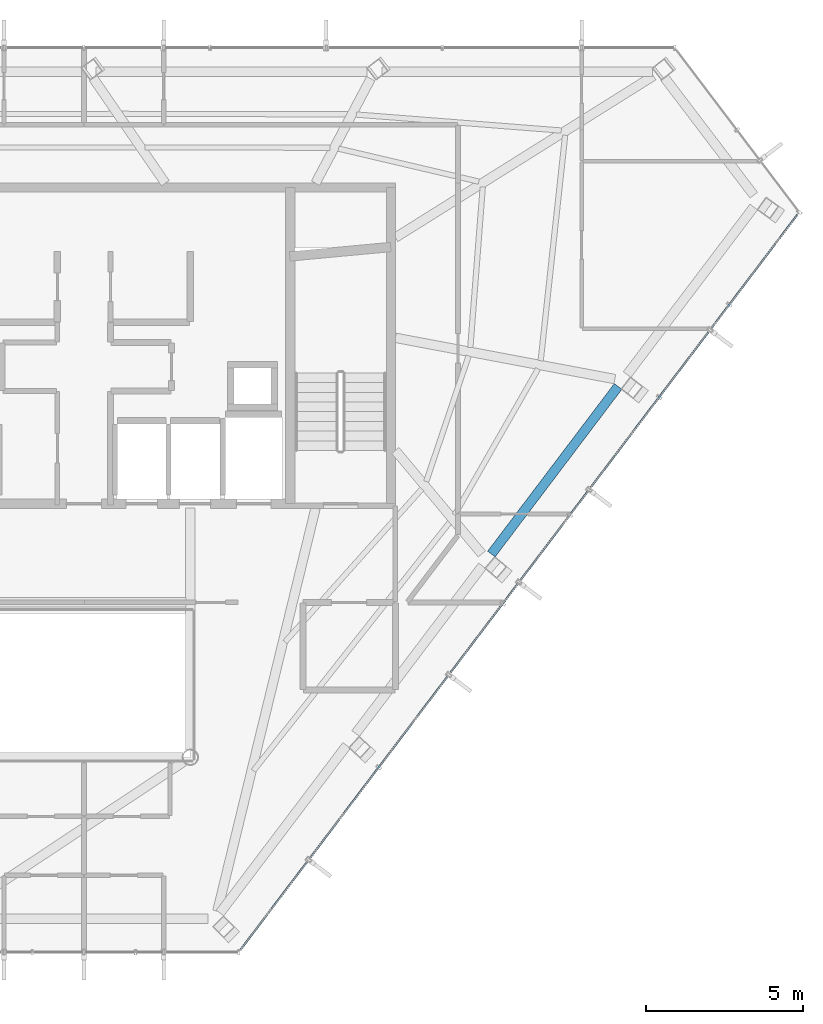
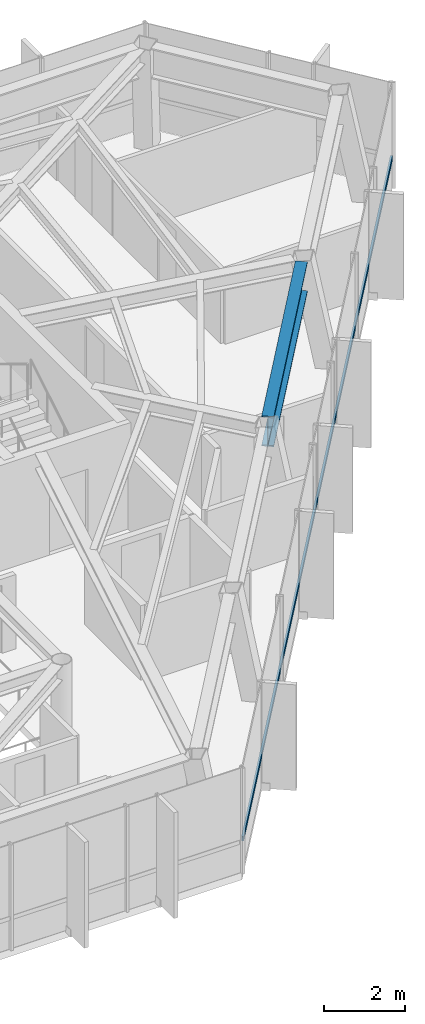
# One storey, part 17 of 26: 1 beam, 1 member, 1 element without a shape of its own.
"""IFC4 building model written with IfcOpenShell, lengths in metres."""

import ifcopenshell
import ifcopenshell.guid

model = None  # the IFC model being written
_history = None  # IfcOwnerHistory: only IFC2X3 demands one
_inside = {}  # id of a spatial element -> (the spatial element, [elements in it])
_under = {}  # id of a project, library or spatial element -> (it, [spatial elements below it])
_declared = {}  # id of a project -> (the project, [libraries it declares])
_typed = {}  # id of a type object -> (the type object, [elements of that type])
_made_of = {}  # id of a material, layer set ... -> (it, [elements and type objects made of it])


def new_model(schema):
    """Start an empty IFC model of exactly this schema.

    Asked for "IFC4X3", IfcOpenShell would pick the latest addendum, in which some entities
    have other attributes; the version numbers below select the first issue.
    IFC2X3 requires an IfcOwnerHistory on every rooted entity: one is made here for all.
    """
    global model, _history
    if schema == "IFC4X3":
        model = ifcopenshell.file(schema_version=(4, 3, 0, 0))
    else:
        model = ifcopenshell.file(schema=schema)
    _inside.clear()
    _under.clear()
    _declared.clear()
    _typed.clear()
    _made_of.clear()
    _history = None
    if model.schema == "IFC2X3":
        org = make("IfcOrganization", Name="unknown")
        user = make(
            "IfcPersonAndOrganization",
            ThePerson=make("IfcPerson", FamilyName="unknown"),
            TheOrganization=org,
        )
        app = make(
            "IfcApplication",
            ApplicationDeveloper=org,
            Version="unknown",
            ApplicationFullName="unknown",
            ApplicationIdentifier="unknown",
        )
        _history = make(
            "IfcOwnerHistory",
            OwningUser=user,
            OwningApplication=app,
            ChangeAction="ADDED",
            CreationDate=0,
        )
    return model


def make(cls, **values):
    """One entity of the class cls with the attributes given. An attribute that is None is left unset."""
    return model.create_entity(
        cls, **{name: value for name, value in values.items() if value is not None}
    )


def rooted(cls, **values):
    """An entity with a GlobalId (a new one), such as an element, a storey or a relation."""
    return make(cls, GlobalId=ifcopenshell.guid.new(), OwnerHistory=_history, **values)


def si_unit(unit_type, name, prefix=None):
    """IfcSIUnit, for example si_unit("LENGTHUNIT", "METRE", prefix="MILLI")."""
    return make("IfcSIUnit", UnitType=unit_type, Prefix=prefix, Name=name)


def assignment(units):
    """IfcUnitAssignment: the units of a project."""
    return None if units is None else make("IfcUnitAssignment", Units=units)


def point(xyz):
    """IfcCartesianPoint."""
    return None if xyz is None else make("IfcCartesianPoint", Coordinates=xyz)


def direction(xyz):
    """IfcDirection."""
    return None if xyz is None else make("IfcDirection", DirectionRatios=xyz)


def frame(location, z_axis=None, x_axis=None):
    """IfcAxis2Placement3D, a coordinate frame: its origin and axes. An axis left out is left unset."""
    return make(
        "IfcAxis2Placement3D",
        Location=point(location),
        Axis=direction(z_axis),
        RefDirection=direction(x_axis),
    )


def frame_2d(location, x_axis=None):
    """IfcAxis2Placement2D, a coordinate frame in the plane: its origin and x axis."""
    return make(
        "IfcAxis2Placement2D", Location=point(location), RefDirection=direction(x_axis)
    )


def origin():
    """The frame at (0, 0, 0) with its axes left unset."""
    return frame((0.0, 0.0, 0.0))


def origin_2d():
    """The frame at (0, 0) in the plane with its x axis left unset."""
    return frame_2d((0.0, 0.0))


def place(relative_to, where):
    """IfcLocalPlacement: puts the frame where relative to a parent placement (None: the world)."""
    return make(
        "IfcLocalPlacement", PlacementRelTo=relative_to, RelativePlacement=where
    )


def context(
    kind, dimensions, precision=None, world=None, true_north=None, identifier=None
):
    """IfcGeometricRepresentationContext, for example the 3D "Model" context."""
    return make(
        "IfcGeometricRepresentationContext",
        ContextIdentifier=identifier,
        ContextType=kind,
        CoordinateSpaceDimension=dimensions,
        Precision=precision,
        WorldCoordinateSystem=world,
        TrueNorth=true_north,
    )


def subcontext(parent, identifier, kind, view, scale=None):
    """IfcGeometricRepresentationSubContext, for example "Body" below "Model"."""
    return make(
        "IfcGeometricRepresentationSubContext",
        ContextIdentifier=identifier,
        ContextType=kind,
        ParentContext=parent,
        TargetScale=scale,
        TargetView=view,
    )


def project(units=None, contexts=None):
    """IfcProject with its units and contexts."""
    return rooted(
        "IfcProject",
        Name="project",
        RepresentationContexts=contexts,
        UnitsInContext=assignment(units),
    )


def spatial(cls, under=None, at=None, **own):
    """A site, building, storey or space (cls), placed at a placement, below another one or the project."""
    s = rooted(cls, ObjectPlacement=at, **own)
    if under is not None:
        _under.setdefault(under.id(), (under, []))[1].append(s)
    return s


def profile(cls, at=None, kind="AREA", **sizes):
    """A parametric profile (cls). Its sizes go by their IFC names, for example OverallWidth=200.0."""
    return make(cls, ProfileType=kind, Position=at, **sizes)


def hollow_rectangle(**sizes):
    """IfcRectangleHollowProfileDef."""
    return profile("IfcRectangleHollowProfileDef", **sizes)


def i_section(**sizes):
    """IfcIShapeProfileDef."""
    return profile("IfcIShapeProfileDef", **sizes)


def extrude(swept, where, along, depth):
    """IfcExtrudedAreaSolid: the profile swept, set in the frame where, extruded along a direction by depth."""
    return make(
        "IfcExtrudedAreaSolid",
        SweptArea=swept,
        Position=where,
        ExtrudedDirection=direction(along),
        Depth=depth,
    )


def shape(context_of_items, identifier, shape_type, items):
    """IfcShapeRepresentation: the items that make up one representation, for example the "Body"."""
    return make(
        "IfcShapeRepresentation",
        ContextOfItems=context_of_items,
        RepresentationIdentifier=identifier,
        RepresentationType=shape_type,
        Items=items,
    )


def material(Name=None, Category=None):
    """IfcMaterial."""
    return make("IfcMaterial", Name=Name, Category=Category)


def layer(
    of_material, thickness, ventilated=None, Name=None, Category=None, Priority=None
):
    """IfcMaterialLayer: one layer of a wall or slab, of a material (None: an air gap)."""
    return make(
        "IfcMaterialLayer",
        Material=of_material,
        LayerThickness=thickness,
        IsVentilated=ventilated,
        Name=Name,
        Category=Category,
        Priority=Priority,
    )


def layer_set(layers, Name=None):
    """IfcMaterialLayerSet."""
    return make("IfcMaterialLayerSet", MaterialLayers=layers, LayerSetName=Name)


def material_profile(
    of_material, cross_section, Name=None, Category=None, Priority=None
):
    """IfcMaterialProfile: a cross section and its material."""
    return make(
        "IfcMaterialProfile",
        Name=Name,
        Material=of_material,
        Profile=cross_section,
        Priority=Priority,
        Category=Category,
    )


def profile_set(profiles, Name=None, composite=None):
    """IfcMaterialProfileSet."""
    return make(
        "IfcMaterialProfileSet",
        Name=Name,
        MaterialProfiles=profiles,
        CompositeProfile=composite,
    )


def made_of(thing, what):
    """Note that an element or type object is made of a material, layer set ...; save() writes the relation."""
    if what is not None:
        _made_of.setdefault(what.id(), (what, []))[1].append(thing)
    return thing


def type_object(cls, material=None, **own):
    """A type object (cls), such as IfcWallType, which elements share."""
    return made_of(rooted(cls, **own), material)


def element(
    cls,
    number,
    at=None,
    inside=None,
    cuts=None,
    type_object=None,
    material=None,
    context=None,
    identifier="Body",
    shape_type=None,
    held_by="IfcProductDefinitionShape",
    body=None,
    shapes=None,
    **own,
):
    """One element of the class cls, such as IfcWall. Its Tag is "e" and its number.

    at: its placement. inside: the storey or other place that contains it. cuts: it is an
    opening in that element (IfcRelVoidsElement). A single representation is given by context,
    identifier, shape_type and body (its items); several are given by shapes. held_by: the class
    of the entity that holds the representations. save() writes the other relations.
    """
    e = rooted(cls, Tag="e%d" % number, ObjectPlacement=at, **own)
    if body is not None:
        shapes = [shape(context, identifier, shape_type, body)]
    if shapes is not None:
        e.Representation = make(held_by, Representations=shapes)
    if inside is not None:
        _inside.setdefault(inside.id(), (inside, []))[1].append(e)
    if cuts is not None:
        rooted(
            "IfcRelVoidsElement", RelatingBuildingElement=cuts, RelatedOpeningElement=e
        )
    if type_object is not None:
        _typed.setdefault(type_object.id(), (type_object, []))[1].append(e)
    return made_of(e, material)


def aggregate(whole, parts):
    """IfcRelAggregates: a whole, such as a stair, and the parts it consists of."""
    return rooted("IfcRelAggregates", RelatingObject=whole, RelatedObjects=parts)


def save(model, path):
    """Write the relations noted so far, then the file.

    IfcRelAggregates (storeys below a building ...), IfcRelContainedInSpatialStructure (elements
    in a storey), IfcRelDefinesByType, IfcRelAssociatesMaterial and IfcRelDeclares: one each for
    every whole, place, type object, material and project.
    """
    for whole, parts in _under.values():
        aggregate(whole, parts)
    for where, things in _inside.values():
        rooted(
            "IfcRelContainedInSpatialStructure",
            RelatedElements=things,
            RelatingStructure=where,
        )
    for kind, things in _typed.values():
        rooted("IfcRelDefinesByType", RelatedObjects=things, RelatingType=kind)
    for what, things in _made_of.values():
        rooted("IfcRelAssociatesMaterial", RelatedObjects=things, RelatingMaterial=what)
    for by, libraries in _declared.values():
        rooted("IfcRelDeclares", RelatingContext=by, RelatedDefinitions=libraries)
    model.write(path)


model = new_model("IFC4")

# Units and contexts
model_context = context("Model", 3, precision=1e-05, world=origin(), true_north=direction((0.0, 1.0)))
body_context = subcontext(model_context, "Body", "Model", "MODEL_VIEW")
ifc_project = project(units=[si_unit("LENGTHUNIT", "METRE"), si_unit("AREAUNIT", "SQUARE_METRE"), si_unit("VOLUMEUNIT", "CUBIC_METRE"), si_unit("PLANEANGLEUNIT", "RADIAN"), si_unit("MASSUNIT", "GRAM", prefix="KILO")], contexts=[model_context])

# Site, building, storey
site_placement = place(None, origin())
site = spatial("IfcSite", under=ifc_project, at=site_placement, CompositionType="ELEMENT")
building_placement = place(site_placement, origin())
building = spatial("IfcBuilding", under=site, at=building_placement, Name="Zarrinselat Tower", CompositionType="ELEMENT")
storey_placement = place(building_placement, frame((0.0, 0.0, 265.199951171875)))
storey = spatial("IfcBuildingStorey", under=building, at=storey_placement, Name="L67", CompositionType="ELEMENT", Elevation=265.199951171875)

# Beam
ifc_material_1 = material(Name="Steel S460M", Category="steel")
ifc_material_profile_1 = material_profile(ifc_material_1, i_section(OverallWidth=0.302001953125, OverallDepth=0.909912109375, WebThickness=0.02099609375, FlangeThickness=0.0400390625, at=origin_2d()), Name="HEM 900")
ifc_profile_set_1 = profile_set([ifc_material_profile_1], Name="Steel S460M")
beam_type = type_object("IfcBeamType", Name="BM-HEM900", PredefinedType="BEAM", material=ifc_profile_set_1)
beam_placement = place(storey_placement, frame((51.416748046875, 31.692138671875, 2.72509765625), z_axis=(0.603161908748, 0.797618776005, 0.0), x_axis=(-0.797618776005, 0.603161908748, 0.0)))
element("IfcBeam", 1, at=beam_placement, inside=storey, type_object=beam_type, Name="L67 Perimeter Spandrel Girder SP13", PredefinedType="BEAM", context=body_context, shape_type="SweptSolid", body=[
    extrude(i_section(OverallWidth=0.302001953125, OverallDepth=0.909912109375, WebThickness=0.02099609375, FlangeThickness=0.0400390625, at=origin_2d()), origin(), (0.0, 0.0, 1.0), 6.710693359375),
])

# Curtain wall, member
ifc_material_2 = material(Name="Extruded Aluminium Alloy EN AW-6063 T6", Category="aluminium")
ifc_layer = layer(ifc_material_2, 0.199951171875)
ifc_layer_set = layer_set([ifc_layer], Name="Extruded Aluminium Alloy EN AW-6063 T6")
curtain_wall_type = type_object("IfcCurtainWallType", Name="CWS-BLADE", PredefinedType="NOTDEFINED", material=ifc_layer_set)
curtain_wall_placement = place(storey_placement, origin())
curtain_wall = element("IfcCurtainWall", 2, at=curtain_wall_placement, inside=storey, type_object=curtain_wall_type, Name="L67 Unitised Curtain Wall CW-L67-E05", PredefinedType="NOTDEFINED")
ifc_material_3 = material(Name="Extruded Aluminium Alloy EN AW-6063 T6", Category="aluminium")
ifc_material_profile_2 = material_profile(ifc_material_3, hollow_rectangle(XDim=0.06005859375, YDim=0.139892578125, WallThickness=0.00390625, at=origin_2d()), Name="RHS 140x60x4")
ifc_profile_set_2 = profile_set([ifc_material_profile_2], Name="Extruded Aluminium Alloy EN AW-6063 T6")
member_type = type_object("IfcMemberType", Name="MEM-CW-TRN", PredefinedType="USERDEFINED", material=ifc_profile_set_2)
member_placement = place(storey_placement, frame((43.39697265625, 19.042724609375, 0.949951171875), z_axis=(0.603859282376, 0.797090940288, 0.0), x_axis=(-0.797090940288, 0.603859282376, 0.0)))
member = element("IfcMember", 3, at=member_placement, type_object=member_type, Name="CW-L67-E05 Transom 1", ObjectType="TRANSOM", PredefinedType="USERDEFINED", context=body_context, shape_type="SweptSolid", body=[
    extrude(hollow_rectangle(XDim=0.06005859375, YDim=0.139892578125, WallThickness=0.00390625, at=origin_2d()), origin(), (0.0, 0.0, 1.0), 29.481689453125),
])
aggregate(curtain_wall, [member])

save(model, "model.ifc")
